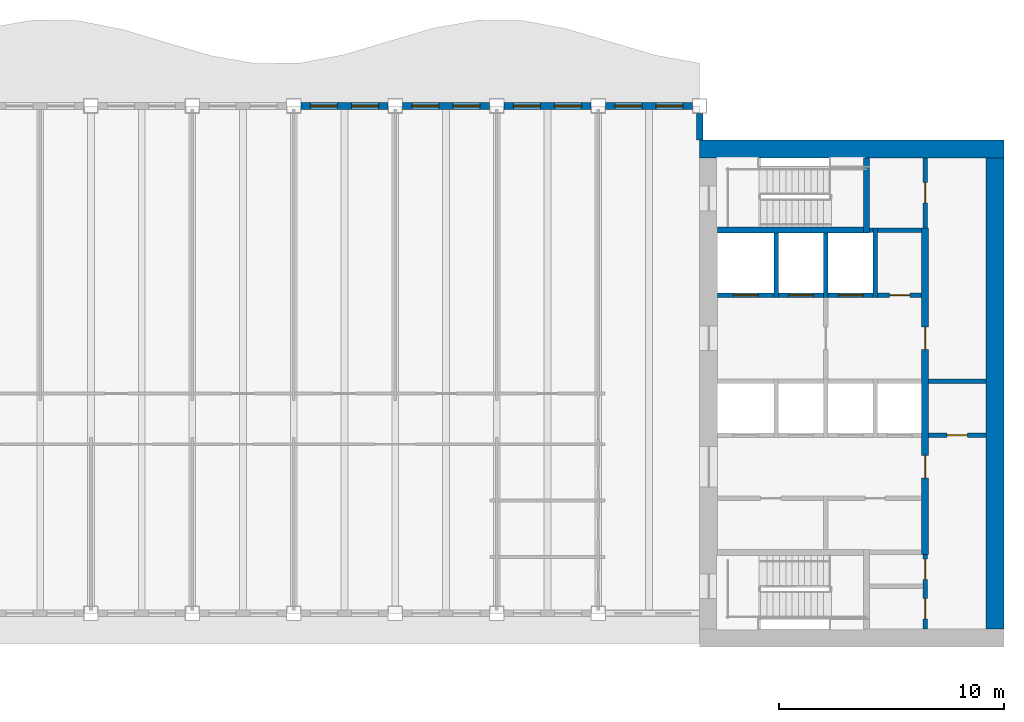
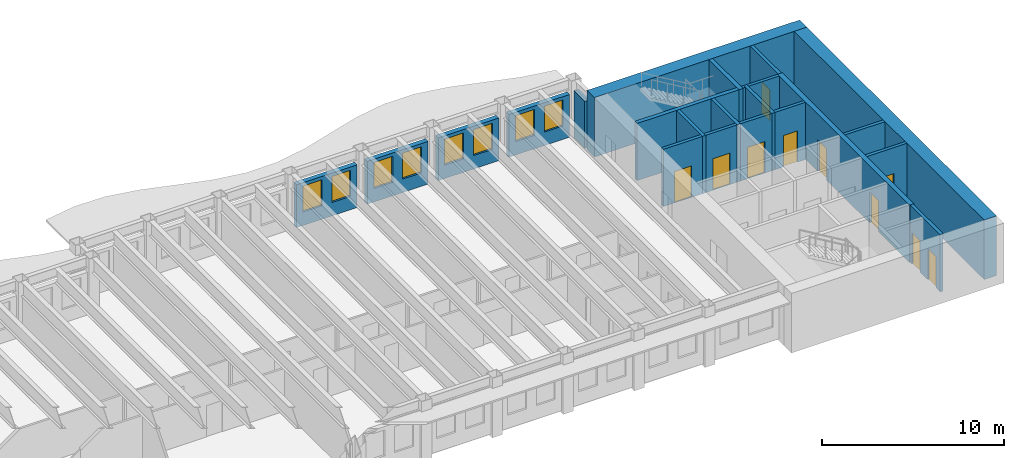
# One storey, part 6 of 12: 23 walls, 10 doors, 8 windows, 18 openings.
"""IFC4 building model written with IfcOpenShell, lengths in metres."""

import ifcopenshell
import ifcopenshell.guid

model = None  # the IFC model being written
_history = None  # IfcOwnerHistory: only IFC2X3 demands one
_inside = {}  # id of a spatial element -> (the spatial element, [elements in it])
_under = {}  # id of a project, library or spatial element -> (it, [spatial elements below it])
_declared = {}  # id of a project -> (the project, [libraries it declares])
_typed = {}  # id of a type object -> (the type object, [elements of that type])
_made_of = {}  # id of a material, layer set ... -> (it, [elements and type objects made of it])


def new_model(schema):
    """Start an empty IFC model of exactly this schema.

    Asked for "IFC4X3", IfcOpenShell would pick the latest addendum, in which some entities
    have other attributes; the version numbers below select the first issue.
    IFC2X3 requires an IfcOwnerHistory on every rooted entity: one is made here for all.
    """
    global model, _history
    if schema == "IFC4X3":
        model = ifcopenshell.file(schema_version=(4, 3, 0, 0))
    else:
        model = ifcopenshell.file(schema=schema)
    _inside.clear()
    _under.clear()
    _declared.clear()
    _typed.clear()
    _made_of.clear()
    _history = None
    if model.schema == "IFC2X3":
        org = make("IfcOrganization", Name="unknown")
        user = make(
            "IfcPersonAndOrganization",
            ThePerson=make("IfcPerson", FamilyName="unknown"),
            TheOrganization=org,
        )
        app = make(
            "IfcApplication",
            ApplicationDeveloper=org,
            Version="unknown",
            ApplicationFullName="unknown",
            ApplicationIdentifier="unknown",
        )
        _history = make(
            "IfcOwnerHistory",
            OwningUser=user,
            OwningApplication=app,
            ChangeAction="ADDED",
            CreationDate=0,
        )
    return model


def make(cls, **values):
    """One entity of the class cls with the attributes given. An attribute that is None is left unset."""
    return model.create_entity(
        cls, **{name: value for name, value in values.items() if value is not None}
    )


def rooted(cls, **values):
    """An entity with a GlobalId (a new one), such as an element, a storey or a relation."""
    return make(cls, GlobalId=ifcopenshell.guid.new(), OwnerHistory=_history, **values)


def si_unit(unit_type, name, prefix=None):
    """IfcSIUnit, for example si_unit("LENGTHUNIT", "METRE", prefix="MILLI")."""
    return make("IfcSIUnit", UnitType=unit_type, Prefix=prefix, Name=name)


def assignment(units):
    """IfcUnitAssignment: the units of a project."""
    return None if units is None else make("IfcUnitAssignment", Units=units)


def point(xyz):
    """IfcCartesianPoint."""
    return None if xyz is None else make("IfcCartesianPoint", Coordinates=xyz)


def direction(xyz):
    """IfcDirection."""
    return None if xyz is None else make("IfcDirection", DirectionRatios=xyz)


def frame(location, z_axis=None, x_axis=None):
    """IfcAxis2Placement3D, a coordinate frame: its origin and axes. An axis left out is left unset."""
    return make(
        "IfcAxis2Placement3D",
        Location=point(location),
        Axis=direction(z_axis),
        RefDirection=direction(x_axis),
    )


def frame_2d(location, x_axis=None):
    """IfcAxis2Placement2D, a coordinate frame in the plane: its origin and x axis."""
    return make(
        "IfcAxis2Placement2D", Location=point(location), RefDirection=direction(x_axis)
    )


def origin():
    """The frame at (0, 0, 0) with its axes left unset."""
    return frame((0.0, 0.0, 0.0))


def place(relative_to, where):
    """IfcLocalPlacement: puts the frame where relative to a parent placement (None: the world)."""
    return make(
        "IfcLocalPlacement", PlacementRelTo=relative_to, RelativePlacement=where
    )


def context(
    kind, dimensions, precision=None, world=None, true_north=None, identifier=None
):
    """IfcGeometricRepresentationContext, for example the 3D "Model" context."""
    return make(
        "IfcGeometricRepresentationContext",
        ContextIdentifier=identifier,
        ContextType=kind,
        CoordinateSpaceDimension=dimensions,
        Precision=precision,
        WorldCoordinateSystem=world,
        TrueNorth=true_north,
    )


def subcontext(parent, identifier, kind, view, scale=None):
    """IfcGeometricRepresentationSubContext, for example "Body" below "Model"."""
    return make(
        "IfcGeometricRepresentationSubContext",
        ContextIdentifier=identifier,
        ContextType=kind,
        ParentContext=parent,
        TargetScale=scale,
        TargetView=view,
    )


def project(units=None, contexts=None):
    """IfcProject with its units and contexts."""
    return rooted(
        "IfcProject",
        Name="project",
        RepresentationContexts=contexts,
        UnitsInContext=assignment(units),
    )


def spatial(cls, under=None, at=None, **own):
    """A site, building, storey or space (cls), placed at a placement, below another one or the project."""
    s = rooted(cls, ObjectPlacement=at, **own)
    if under is not None:
        _under.setdefault(under.id(), (under, []))[1].append(s)
    return s


def profile(cls, at=None, kind="AREA", **sizes):
    """A parametric profile (cls). Its sizes go by their IFC names, for example OverallWidth=200.0."""
    return make(cls, ProfileType=kind, Position=at, **sizes)


def rectangle(**sizes):
    """IfcRectangleProfileDef."""
    return profile("IfcRectangleProfileDef", **sizes)


def extrude(swept, where, along, depth):
    """IfcExtrudedAreaSolid: the profile swept, set in the frame where, extruded along a direction by depth."""
    return make(
        "IfcExtrudedAreaSolid",
        SweptArea=swept,
        Position=where,
        ExtrudedDirection=direction(along),
        Depth=depth,
    )


def shape(context_of_items, identifier, shape_type, items):
    """IfcShapeRepresentation: the items that make up one representation, for example the "Body"."""
    return make(
        "IfcShapeRepresentation",
        ContextOfItems=context_of_items,
        RepresentationIdentifier=identifier,
        RepresentationType=shape_type,
        Items=items,
    )


def material(Name=None, Category=None):
    """IfcMaterial."""
    return make("IfcMaterial", Name=Name, Category=Category)


def layer(
    of_material, thickness, ventilated=None, Name=None, Category=None, Priority=None
):
    """IfcMaterialLayer: one layer of a wall or slab, of a material (None: an air gap)."""
    return make(
        "IfcMaterialLayer",
        Material=of_material,
        LayerThickness=thickness,
        IsVentilated=ventilated,
        Name=Name,
        Category=Category,
        Priority=Priority,
    )


def layer_set(layers, Name=None):
    """IfcMaterialLayerSet."""
    return make("IfcMaterialLayerSet", MaterialLayers=layers, LayerSetName=Name)


def made_of(thing, what):
    """Note that an element or type object is made of a material, layer set ...; save() writes the relation."""
    if what is not None:
        _made_of.setdefault(what.id(), (what, []))[1].append(thing)
    return thing


def type_object(cls, material=None, **own):
    """A type object (cls), such as IfcWallType, which elements share."""
    return made_of(rooted(cls, **own), material)


def element(
    cls,
    number,
    at=None,
    inside=None,
    cuts=None,
    type_object=None,
    material=None,
    context=None,
    identifier="Body",
    shape_type=None,
    held_by="IfcProductDefinitionShape",
    body=None,
    shapes=None,
    **own,
):
    """One element of the class cls, such as IfcWall. Its Tag is "e" and its number.

    at: its placement. inside: the storey or other place that contains it. cuts: it is an
    opening in that element (IfcRelVoidsElement). A single representation is given by context,
    identifier, shape_type and body (its items); several are given by shapes. held_by: the class
    of the entity that holds the representations. save() writes the other relations.
    """
    e = rooted(cls, Tag="e%d" % number, ObjectPlacement=at, **own)
    if body is not None:
        shapes = [shape(context, identifier, shape_type, body)]
    if shapes is not None:
        e.Representation = make(held_by, Representations=shapes)
    if inside is not None:
        _inside.setdefault(inside.id(), (inside, []))[1].append(e)
    if cuts is not None:
        rooted(
            "IfcRelVoidsElement", RelatingBuildingElement=cuts, RelatedOpeningElement=e
        )
    if type_object is not None:
        _typed.setdefault(type_object.id(), (type_object, []))[1].append(e)
    return made_of(e, material)


def fill(opening, filler):
    """IfcRelFillsElement: the door or window that sits in an opening."""
    return rooted(
        "IfcRelFillsElement",
        RelatingOpeningElement=opening,
        RelatedBuildingElement=filler,
    )


def aggregate(whole, parts):
    """IfcRelAggregates: a whole, such as a stair, and the parts it consists of."""
    return rooted("IfcRelAggregates", RelatingObject=whole, RelatedObjects=parts)


def save(model, path):
    """Write the relations noted so far, then the file.

    IfcRelAggregates (storeys below a building ...), IfcRelContainedInSpatialStructure (elements
    in a storey), IfcRelDefinesByType, IfcRelAssociatesMaterial and IfcRelDeclares: one each for
    every whole, place, type object, material and project.
    """
    for whole, parts in _under.values():
        aggregate(whole, parts)
    for where, things in _inside.values():
        rooted(
            "IfcRelContainedInSpatialStructure",
            RelatedElements=things,
            RelatingStructure=where,
        )
    for kind, things in _typed.values():
        rooted("IfcRelDefinesByType", RelatedObjects=things, RelatingType=kind)
    for what, things in _made_of.values():
        rooted("IfcRelAssociatesMaterial", RelatedObjects=things, RelatingMaterial=what)
    for by, libraries in _declared.values():
        rooted("IfcRelDeclares", RelatingContext=by, RelatedDefinitions=libraries)
    model.write(path)


model = new_model("IFC4")

# Units and contexts
model_context = context("Model", 3, precision=1e-05, world=origin(), true_north=direction((0.0, 1.0)))
body_context = subcontext(model_context, "Body", "Model", "MODEL_VIEW")
ifc_project = project(units=[si_unit("LENGTHUNIT", "METRE"), si_unit("AREAUNIT", "SQUARE_METRE"), si_unit("VOLUMEUNIT", "CUBIC_METRE"), si_unit("PLANEANGLEUNIT", "RADIAN"), si_unit("MASSUNIT", "GRAM", prefix="KILO")], contexts=[model_context])

# Site, building, storey
site_placement = place(None, origin())
site = spatial("IfcSite", under=ifc_project, at=site_placement, CompositionType="ELEMENT")
building_placement = place(site_placement, origin())
building = spatial("IfcBuilding", under=site, at=building_placement, Name="Sennacour Bend Tower", CompositionType="ELEMENT")
storey_placement = place(building_placement, frame((0.0, 0.0, 257.0)))
storey = spatial("IfcBuildingStorey", under=building, at=storey_placement, Name="L59", CompositionType="ELEMENT", Elevation=257.0)

# Walls
ifc_material_1 = material(Name="Concrete C50/60", Category="concrete")
ifc_layer_1 = layer(ifc_material_1, 0.800048828125, Name="Concrete C50/60", Category="concrete")
ifc_layer_set_1 = layer_set([ifc_layer_1], Name="Concrete C50/60")
wall_type_1 = type_object("IfcWallType", Name="Core wall 800 C50/60", PredefinedType="SHEAR", material=ifc_layer_set_1)
wall_1_placement = place(storey_placement, frame((54.0, 22.10009765625, -0.14990234375), z_axis=(0.0, 0.0, 1.0), x_axis=(1.0, 0.0, 0.0)))
element("IfcWall", 1, at=wall_1_placement, inside=storey, type_object=wall_type_1, Name="Core A wall L59 N", PredefinedType="SHEAR", context=body_context, shape_type="SweptSolid", body=[
    extrude(rectangle(XDim=13.5, YDim=0.800048828125, at=frame_2d((6.75, 0.0))), origin(), (0.0, 0.0, 1.0), 4.0),
])
wall_2_placement = place(storey_placement, frame((67.10009765625, 0.800048828125, -0.14990234375), z_axis=(0.0, 0.0, 1.0), x_axis=(0.0, 1.0, 0.0)))
element("IfcWall", 2, at=wall_2_placement, inside=storey, type_object=wall_type_1, Name="Core A wall L59 E", PredefinedType="SHEAR", context=body_context, shape_type="SweptSolid", body=[
    extrude(rectangle(XDim=20.89990234375, YDim=0.800048828125, at=frame_2d((10.449951171875, 0.0))), origin(), (0.0, 0.0, 1.0), 4.0),
])

# Wall, openings, doors
ifc_material_2 = material(Name="Fire-rated plasterboard partition on steel studs", Category="steel")
ifc_layer_2 = layer(ifc_material_2, 0.199951171875, Name="Fire-rated plasterboard partition on steel studs", Category="steel")
ifc_layer_set_2 = layer_set([ifc_layer_2], Name="Fire-rated plasterboard partition on steel studs")
wall_type_2 = type_object("IfcWallType", Name="Rated partition 200", PredefinedType="PARTITIONING", material=ifc_layer_set_2)
wall_3_placement = place(storey_placement, frame((64.0, 0.800048828125, 0.0), z_axis=(0.0, 0.0, 1.0), x_axis=(0.0, 1.0, 0.0)))
wall_3 = element("IfcWall", 3, at=wall_3_placement, inside=storey, type_object=wall_type_2, Name="P-L59-W029", PredefinedType="PARTITIONING", context=body_context, shape_type="SweptSolid", body=[
    extrude(rectangle(XDim=3.300048828125, YDim=0.199951171875, at=frame_2d((1.64990234375, 0.0))), origin(), (0.0, 0.0, 1.0), 3.85009765625),
])
opening_1_placement = place(wall_3_placement, frame((0.449951171875, 0.0, 0.0)))
opening_1 = element("IfcOpeningElement", 4, at=opening_1_placement, cuts=wall_3, Name="Opening SV", PredefinedType="OPENING", context=body_context, shape_type="SweptSolid", body=[
    extrude(rectangle(XDim=0.89990234375, YDim=2.10009765625, at=frame_2d((0.449951171875, 1.050048828125))), frame((0.0, 0.10986328125, 0.0), z_axis=(0.0, -1.0, 0.0), x_axis=(1.0, 0.0, 0.0)), (0.0, 0.0, 1.0), 0.219970703125),
])
opening_2_placement = place(wall_3_placement, frame((2.199951171875, 0.0, 0.0)))
opening_2 = element("IfcOpeningElement", 5, at=opening_2_placement, cuts=wall_3, Name="Opening SV", PredefinedType="OPENING", context=body_context, shape_type="SweptSolid", body=[
    extrude(rectangle(XDim=0.89990234375, YDim=2.10009765625, at=frame_2d((0.449951171875, 1.050048828125))), frame((0.0, 0.10986328125, 0.0), z_axis=(0.0, -1.0, 0.0), x_axis=(1.0, 0.0, 0.0)), (0.0, 0.0, 1.0), 0.219970703125),
])
ifc_material_3 = material(Name="Painted steel", Category="steel")
door_type_1 = type_object("IfcDoorType", Name="DR-SERVICE-900", OperationType="NOTDEFINED", PredefinedType="DOOR", material=ifc_material_3)
door_1_placement = place(opening_1_placement, origin())
door_1 = element("IfcDoor", 6, at=door_1_placement, inside=storey, type_object=door_type_1, Name="Door", OperationType="SINGLE_SWING_LEFT", OverallHeight=2.10009765625, OverallWidth=0.89990234375, PredefinedType="DOOR", context=body_context, shape_type="SweptSolid", body=[
    extrude(rectangle(XDim=0.89990234375, YDim=2.10009765625, at=frame_2d((0.449951171875, 1.050048828125))), frame((0.0, 0.02490234375, 0.0), z_axis=(0.0, -1.0, 0.0), x_axis=(1.0, 0.0, 0.0)), (0.0, 0.0, 1.0), 0.050048828125),
])
fill(opening_1, door_1)
door_2_placement = place(opening_2_placement, origin())
door_2 = element("IfcDoor", 7, at=door_2_placement, inside=storey, type_object=door_type_1, Name="Door", OperationType="SINGLE_SWING_RIGHT", OverallHeight=2.10009765625, OverallWidth=0.89990234375, PredefinedType="DOOR", context=body_context, shape_type="SweptSolid", body=[
    extrude(rectangle(XDim=0.89990234375, YDim=2.10009765625, at=frame_2d((0.449951171875, 1.050048828125))), frame((0.0, 0.02490234375, 0.0), z_axis=(0.0, -1.0, 0.0), x_axis=(1.0, 0.0, 0.0)), (0.0, 0.0, 1.0), 0.050048828125),
])
fill(opening_2, door_2)

# Wall, opening, door
wall_4_placement = place(storey_placement, frame((64.0, 18.60009765625, 0.0), z_axis=(0.0, 0.0, 1.0), x_axis=(0.0, 1.0, 0.0)))
wall_4 = element("IfcWall", 8, at=wall_4_placement, inside=storey, type_object=wall_type_2, Name="P-L59-W031", PredefinedType="PARTITIONING", context=body_context, shape_type="SweptSolid", body=[
    extrude(rectangle(XDim=3.099853515625, YDim=0.199951171875, at=frame_2d((1.5498046875, 0.0))), origin(), (0.0, 0.0, 1.0), 3.85009765625),
])
opening_3_placement = place(wall_4_placement, frame((1.099853515625, 0.0, 0.0)))
opening_3 = element("IfcOpeningElement", 9, at=opening_3_placement, cuts=wall_4, Name="Opening WD", PredefinedType="OPENING", context=body_context, shape_type="SweptSolid", body=[
    extrude(rectangle(XDim=0.89990234375, YDim=2.10009765625, at=frame_2d((0.449951171875, 1.050048828125))), frame((0.0, 0.10986328125, 0.0), z_axis=(0.0, -1.0, 0.0), x_axis=(1.0, 0.0, 0.0)), (0.0, 0.0, 1.0), 0.219970703125),
])
ifc_material_4 = material(Name="Timber", Category="wood")
door_type_2 = type_object("IfcDoorType", Name="DR-WC-900", OperationType="NOTDEFINED", PredefinedType="DOOR", material=ifc_material_4)
door_3_placement = place(opening_3_placement, origin())
door_3 = element("IfcDoor", 10, at=door_3_placement, inside=storey, type_object=door_type_2, Name="Door", OperationType="SINGLE_SWING_LEFT", OverallHeight=2.10009765625, OverallWidth=0.89990234375, PredefinedType="DOOR", context=body_context, shape_type="SweptSolid", body=[
    extrude(rectangle(XDim=0.89990234375, YDim=2.10009765625, at=frame_2d((0.449951171875, 1.050048828125))), frame((0.0, 0.02490234375, 0.0), z_axis=(0.0, -1.0, 0.0), x_axis=(1.0, 0.0, 0.0)), (0.0, 0.0, 1.0), 0.050048828125),
])
fill(opening_3, door_3)

wall_5_placement = place(storey_placement, frame((64.14990234375, 9.39990234375, 0.0), z_axis=(0.0, 0.0, 1.0), x_axis=(1.0, 0.0, 0.0)))
wall_5 = element("IfcWall", 11, at=wall_5_placement, inside=storey, type_object=wall_type_2, Name="P-L59-W045", PredefinedType="PARTITIONING", context=body_context, shape_type="SweptSolid", body=[
    extrude(rectangle(XDim=2.550048828125, YDim=0.199951171875, at=frame_2d((1.27490234375, 0.0))), origin(), (0.0, 0.0, 1.0), 3.85009765625),
])
opening_4_placement = place(wall_5_placement, frame((0.8251953125, 0.0, 0.0)))
opening_4 = element("IfcOpeningElement", 12, at=opening_4_placement, cuts=wall_5, Name="Opening SV", PredefinedType="OPENING", context=body_context, shape_type="SweptSolid", body=[
    extrude(rectangle(XDim=0.89990234375, YDim=2.10009765625, at=frame_2d((0.449951171875, 1.050048828125))), frame((0.0, 0.10986328125, 0.0), z_axis=(0.0, -1.0, 0.0), x_axis=(1.0, 0.0, 0.0)), (0.0, 0.0, 1.0), 0.219970703125),
])
door_4_placement = place(opening_4_placement, origin())
door_4 = element("IfcDoor", 13, at=door_4_placement, inside=storey, type_object=door_type_1, Name="Door", OperationType="SINGLE_SWING_LEFT", OverallHeight=2.10009765625, OverallWidth=0.89990234375, PredefinedType="DOOR", context=body_context, shape_type="SweptSolid", body=[
    extrude(rectangle(XDim=0.89990234375, YDim=2.10009765625, at=frame_2d((0.449951171875, 1.050048828125))), frame((0.0, 0.02490234375, 0.0), z_axis=(0.0, -1.0, 0.0), x_axis=(1.0, 0.0, 0.0)), (0.0, 0.0, 1.0), 0.050048828125),
])
fill(opening_4, door_4)

# Wall
wall_6_placement = place(storey_placement, frame((64.14990234375, 11.800048828125, 0.0), z_axis=(0.0, 0.0, 1.0), x_axis=(1.0, 0.0, 0.0)))
element("IfcWall", 14, at=wall_6_placement, inside=storey, type_object=wall_type_2, Name="P-L59-W048", PredefinedType="PARTITIONING", context=body_context, shape_type="SweptSolid", body=[
    extrude(rectangle(XDim=2.550048828125, YDim=0.199951171875, at=frame_2d((1.27490234375, 0.0))), origin(), (0.0, 0.0, 1.0), 3.85009765625),
])

# Wall, opening, door
wall_7_placement = place(storey_placement, frame((61.89990234375, 15.60009765625, 0.0), z_axis=(0.0, 0.0, 1.0), x_axis=(1.0, 0.0, 0.0)))
wall_7 = element("IfcWall", 15, at=wall_7_placement, inside=storey, type_object=wall_type_2, Name="P-L59-W050", PredefinedType="PARTITIONING", context=body_context, shape_type="SweptSolid", body=[
    extrude(rectangle(XDim=1.9501953125, YDim=0.199951171875, at=frame_2d((0.97509765625, 0.0))), origin(), (0.0, 0.0, 1.0), 3.85009765625),
])
opening_5_placement = place(wall_7_placement, frame((0.525146484375, 0.0, 0.0)))
opening_5 = element("IfcOpeningElement", 16, at=opening_5_placement, cuts=wall_7, Name="Opening SV", PredefinedType="OPENING", context=body_context, shape_type="SweptSolid", body=[
    extrude(rectangle(XDim=0.89990234375, YDim=2.10009765625, at=frame_2d((0.449951171875, 1.050048828125))), frame((0.0, 0.10986328125, 0.0), z_axis=(0.0, -1.0, 0.0), x_axis=(1.0, 0.0, 0.0)), (0.0, 0.0, 1.0), 0.219970703125),
])
door_5_placement = place(opening_5_placement, origin())
door_5 = element("IfcDoor", 17, at=door_5_placement, inside=storey, type_object=door_type_1, Name="Door", OperationType="SINGLE_SWING_LEFT", OverallHeight=2.10009765625, OverallWidth=0.89990234375, PredefinedType="DOOR", context=body_context, shape_type="SweptSolid", body=[
    extrude(rectangle(XDim=0.89990234375, YDim=2.10009765625, at=frame_2d((0.449951171875, 1.050048828125))), frame((0.0, 0.02490234375, 0.0), z_axis=(0.0, -1.0, 0.0), x_axis=(1.0, 0.0, 0.0)), (0.0, 0.0, 1.0), 0.050048828125),
])
fill(opening_5, door_5)

# Walls
wall_8_placement = place(storey_placement, frame((61.89990234375, 18.5, 0.0), z_axis=(0.0, 0.0, 1.0), x_axis=(1.0, 0.0, 0.0)))
element("IfcWall", 18, at=wall_8_placement, inside=storey, type_object=wall_type_2, Name="P-L59-W053", PredefinedType="PARTITIONING", context=body_context, shape_type="SweptSolid", body=[
    extrude(rectangle(XDim=1.9501953125, YDim=0.199951171875, at=frame_2d((0.97509765625, 0.0))), origin(), (0.0, 0.0, 1.0), 3.85009765625),
])
ifc_material_5 = material(Name="Warm limestone cladding", Category="masonry")
ifc_layer_3 = layer(ifc_material_5, 0.050048828125, Name="Warm limestone cladding", Category="masonry")
ifc_material_6 = material(Name="Precast concrete C40/50", Category="concrete")
ifc_layer_4 = layer(ifc_material_6, 0.25, Name="Precast concrete C40/50", Category="concrete")
ifc_layer_set_3 = layer_set([ifc_layer_3, ifc_layer_4], Name="Precast concrete C40/50 with limestone cladding")
wall_type_3 = type_object("IfcWallType", Name="STONE-CLAD PRECAST SPANDREL 300", PredefinedType="STANDARD", material=ifc_layer_set_3)
wall_9_placement = place(storey_placement, frame((54.0, 22.5, 0.0), z_axis=(0.0, 0.0, 1.0), x_axis=(0.0, 1.0, 0.0)))
element("IfcWall", 19, at=wall_9_placement, inside=storey, type_object=wall_type_3, Name="Stone spandrel and pier wall L59 06.00", PredefinedType="STANDARD", context=body_context, shape_type="SweptSolid", body=[
    extrude(rectangle(XDim=1.175048828125, YDim=0.300048828125, at=frame_2d((0.58740234375, 0.0))), origin(), (0.0, 0.0, 1.0), 3.162109375),
])

# Wall, openings, windows
wall_10_placement = place(storey_placement, frame((53.675048828125, 24.0, 0.0), z_axis=(0.0, 0.0, 1.0), x_axis=(-1.0, 0.0, 0.0)))
wall_10 = element("IfcWall", 20, at=wall_10_placement, inside=storey, type_object=wall_type_3, Name="Stone spandrel and pier wall L59 07.00", PredefinedType="STANDARD", context=body_context, shape_type="SweptSolid", body=[
    extrude(rectangle(XDim=3.85009765625, YDim=0.300048828125, at=frame_2d((1.925048828125, 0.0))), origin(), (0.0, 0.0, 1.0), 2.8701171875),
])
opening_6_placement = place(wall_10_placement, frame((0.41259765625, 0.0, 0.89990234375)))
opening_6 = element("IfcOpeningElement", 21, at=opening_6_placement, cuts=wall_10, Name="Opening W16", PredefinedType="OPENING", context=body_context, shape_type="SweptSolid", body=[
    extrude(rectangle(XDim=1.199951171875, YDim=1.75, at=frame_2d((0.60009765625, 0.875))), frame((0.0, 0.16015625, 0.0), z_axis=(0.0, -1.0, 0.0), x_axis=(1.0, 0.0, 0.0)), (0.0, 0.0, 1.0), 0.320068359375),
])
opening_7_placement = place(wall_10_placement, frame((2.237548828125, 0.0, 0.89990234375)))
opening_7 = element("IfcOpeningElement", 22, at=opening_7_placement, cuts=wall_10, Name="Opening W16", PredefinedType="OPENING", context=body_context, shape_type="SweptSolid", body=[
    extrude(rectangle(XDim=1.199951171875, YDim=1.75, at=frame_2d((0.60009765625, 0.875))), frame((0.0, 0.16015625, 0.0), z_axis=(0.0, -1.0, 0.0), x_axis=(1.0, 0.0, 0.0)), (0.0, 0.0, 1.0), 0.320068359375),
])
ifc_material_7 = material(Name="Clear low-emissivity glass", Category="glass")
window_type = type_object("IfcWindowType", Name="WIN-RIBBON-1200x1750", PartitioningType="SINGLE_PANEL", PredefinedType="WINDOW", material=ifc_material_7)
window_1_placement = place(opening_6_placement, origin())
window_1 = element("IfcWindow", 23, at=window_1_placement, inside=storey, type_object=window_type, Name="Ribbon window L59 07.00.0", OverallHeight=1.75, OverallWidth=1.199951171875, PartitioningType="SINGLE_PANEL", PredefinedType="WINDOW", context=body_context, shape_type="SweptSolid", body=[
    extrude(rectangle(XDim=1.199951171875, YDim=1.75, at=frame_2d((0.60009765625, 0.875))), frame((0.0, 0.030029296875, 0.0), z_axis=(0.0, -1.0, 0.0), x_axis=(1.0, 0.0, 0.0)), (0.0, 0.0, 1.0), 0.06005859375),
])
fill(opening_6, window_1)
window_2_placement = place(opening_7_placement, origin())
window_2 = element("IfcWindow", 24, at=window_2_placement, inside=storey, type_object=window_type, Name="Ribbon window L59 07.00.1", OverallHeight=1.75, OverallWidth=1.199951171875, PartitioningType="SINGLE_PANEL", PredefinedType="WINDOW", context=body_context, shape_type="SweptSolid", body=[
    extrude(rectangle(XDim=1.199951171875, YDim=1.75, at=frame_2d((0.60009765625, 0.875))), frame((0.0, 0.030029296875, 0.0), z_axis=(0.0, -1.0, 0.0), x_axis=(1.0, 0.0, 0.0)), (0.0, 0.0, 1.0), 0.06005859375),
])
fill(opening_7, window_2)

wall_11_placement = place(storey_placement, frame((49.175048828125, 24.0, 0.0), z_axis=(0.0, 0.0, 1.0), x_axis=(-1.0, 0.0, 0.0)))
wall_11 = element("IfcWall", 25, at=wall_11_placement, inside=storey, type_object=wall_type_3, Name="Stone spandrel and pier wall L59 07.01", PredefinedType="STANDARD", context=body_context, shape_type="SweptSolid", body=[
    extrude(rectangle(XDim=3.85009765625, YDim=0.300048828125, at=frame_2d((1.925048828125, 0.0))), origin(), (0.0, 0.0, 1.0), 2.8701171875),
])
opening_8_placement = place(wall_11_placement, frame((0.41259765625, 0.0, 0.89990234375)))
opening_8 = element("IfcOpeningElement", 26, at=opening_8_placement, cuts=wall_11, Name="Opening W16", PredefinedType="OPENING", context=body_context, shape_type="SweptSolid", body=[
    extrude(rectangle(XDim=1.199951171875, YDim=1.75, at=frame_2d((0.60009765625, 0.875))), frame((0.0, 0.16015625, 0.0), z_axis=(0.0, -1.0, 0.0), x_axis=(1.0, 0.0, 0.0)), (0.0, 0.0, 1.0), 0.320068359375),
])
opening_9_placement = place(wall_11_placement, frame((2.237548828125, 0.0, 0.89990234375)))
opening_9 = element("IfcOpeningElement", 27, at=opening_9_placement, cuts=wall_11, Name="Opening W16", PredefinedType="OPENING", context=body_context, shape_type="SweptSolid", body=[
    extrude(rectangle(XDim=1.199951171875, YDim=1.75, at=frame_2d((0.60009765625, 0.875))), frame((0.0, 0.16015625, 0.0), z_axis=(0.0, -1.0, 0.0), x_axis=(1.0, 0.0, 0.0)), (0.0, 0.0, 1.0), 0.320068359375),
])
window_3_placement = place(opening_8_placement, origin())
window_3 = element("IfcWindow", 28, at=window_3_placement, inside=storey, type_object=window_type, Name="Ribbon window L59 07.01.0", OverallHeight=1.75, OverallWidth=1.199951171875, PartitioningType="SINGLE_PANEL", PredefinedType="WINDOW", context=body_context, shape_type="SweptSolid", body=[
    extrude(rectangle(XDim=1.199951171875, YDim=1.75, at=frame_2d((0.60009765625, 0.875))), frame((0.0, 0.030029296875, 0.0), z_axis=(0.0, -1.0, 0.0), x_axis=(1.0, 0.0, 0.0)), (0.0, 0.0, 1.0), 0.06005859375),
])
fill(opening_8, window_3)
window_4_placement = place(opening_9_placement, origin())
window_4 = element("IfcWindow", 29, at=window_4_placement, inside=storey, type_object=window_type, Name="Ribbon window L59 07.01.1", OverallHeight=1.75, OverallWidth=1.199951171875, PartitioningType="SINGLE_PANEL", PredefinedType="WINDOW", context=body_context, shape_type="SweptSolid", body=[
    extrude(rectangle(XDim=1.199951171875, YDim=1.75, at=frame_2d((0.60009765625, 0.875))), frame((0.0, 0.030029296875, 0.0), z_axis=(0.0, -1.0, 0.0), x_axis=(1.0, 0.0, 0.0)), (0.0, 0.0, 1.0), 0.06005859375),
])
fill(opening_9, window_4)

wall_12_placement = place(storey_placement, frame((44.675048828125, 24.0, 0.0), z_axis=(0.0, 0.0, 1.0), x_axis=(-1.0, 0.0, 0.0)))
wall_12 = element("IfcWall", 30, at=wall_12_placement, inside=storey, type_object=wall_type_3, Name="Stone spandrel and pier wall L59 07.02", PredefinedType="STANDARD", context=body_context, shape_type="SweptSolid", body=[
    extrude(rectangle(XDim=3.85009765625, YDim=0.300048828125, at=frame_2d((1.925048828125, 0.0))), origin(), (0.0, 0.0, 1.0), 2.8701171875),
])
opening_10_placement = place(wall_12_placement, frame((0.41259765625, 0.0, 0.89990234375)))
opening_10 = element("IfcOpeningElement", 31, at=opening_10_placement, cuts=wall_12, Name="Opening W16", PredefinedType="OPENING", context=body_context, shape_type="SweptSolid", body=[
    extrude(rectangle(XDim=1.199951171875, YDim=1.75, at=frame_2d((0.60009765625, 0.875))), frame((0.0, 0.16015625, 0.0), z_axis=(0.0, -1.0, 0.0), x_axis=(1.0, 0.0, 0.0)), (0.0, 0.0, 1.0), 0.320068359375),
])
opening_11_placement = place(wall_12_placement, frame((2.237548828125, 0.0, 0.89990234375)))
opening_11 = element("IfcOpeningElement", 32, at=opening_11_placement, cuts=wall_12, Name="Opening W16", PredefinedType="OPENING", context=body_context, shape_type="SweptSolid", body=[
    extrude(rectangle(XDim=1.199951171875, YDim=1.75, at=frame_2d((0.60009765625, 0.875))), frame((0.0, 0.16015625, 0.0), z_axis=(0.0, -1.0, 0.0), x_axis=(1.0, 0.0, 0.0)), (0.0, 0.0, 1.0), 0.320068359375),
])
window_5_placement = place(opening_10_placement, origin())
window_5 = element("IfcWindow", 33, at=window_5_placement, inside=storey, type_object=window_type, Name="Ribbon window L59 07.02.0", OverallHeight=1.75, OverallWidth=1.199951171875, PartitioningType="SINGLE_PANEL", PredefinedType="WINDOW", context=body_context, shape_type="SweptSolid", body=[
    extrude(rectangle(XDim=1.199951171875, YDim=1.75, at=frame_2d((0.60009765625, 0.875))), frame((0.0, 0.030029296875, 0.0), z_axis=(0.0, -1.0, 0.0), x_axis=(1.0, 0.0, 0.0)), (0.0, 0.0, 1.0), 0.06005859375),
])
fill(opening_10, window_5)
window_6_placement = place(opening_11_placement, origin())
window_6 = element("IfcWindow", 34, at=window_6_placement, inside=storey, type_object=window_type, Name="Ribbon window L59 07.02.1", OverallHeight=1.75, OverallWidth=1.199951171875, PartitioningType="SINGLE_PANEL", PredefinedType="WINDOW", context=body_context, shape_type="SweptSolid", body=[
    extrude(rectangle(XDim=1.199951171875, YDim=1.75, at=frame_2d((0.60009765625, 0.875))), frame((0.0, 0.030029296875, 0.0), z_axis=(0.0, -1.0, 0.0), x_axis=(1.0, 0.0, 0.0)), (0.0, 0.0, 1.0), 0.06005859375),
])
fill(opening_11, window_6)

wall_13_placement = place(storey_placement, frame((40.175048828125, 24.0, 0.0), z_axis=(0.0, 0.0, 1.0), x_axis=(-1.0, 0.0, 0.0)))
wall_13 = element("IfcWall", 35, at=wall_13_placement, inside=storey, type_object=wall_type_3, Name="Stone spandrel and pier wall L59 07.03", PredefinedType="STANDARD", context=body_context, shape_type="SweptSolid", body=[
    extrude(rectangle(XDim=3.85009765625, YDim=0.300048828125, at=frame_2d((1.925048828125, 0.0))), origin(), (0.0, 0.0, 1.0), 2.8701171875),
])
opening_12_placement = place(wall_13_placement, frame((0.41259765625, 0.0, 0.89990234375)))
opening_12 = element("IfcOpeningElement", 36, at=opening_12_placement, cuts=wall_13, Name="Opening W16", PredefinedType="OPENING", context=body_context, shape_type="SweptSolid", body=[
    extrude(rectangle(XDim=1.199951171875, YDim=1.75, at=frame_2d((0.60009765625, 0.875))), frame((0.0, 0.16015625, 0.0), z_axis=(0.0, -1.0, 0.0), x_axis=(1.0, 0.0, 0.0)), (0.0, 0.0, 1.0), 0.320068359375),
])
opening_13_placement = place(wall_13_placement, frame((2.237548828125, 0.0, 0.89990234375)))
opening_13 = element("IfcOpeningElement", 37, at=opening_13_placement, cuts=wall_13, Name="Opening W16", PredefinedType="OPENING", context=body_context, shape_type="SweptSolid", body=[
    extrude(rectangle(XDim=1.199951171875, YDim=1.75, at=frame_2d((0.60009765625, 0.875))), frame((0.0, 0.16015625, 0.0), z_axis=(0.0, -1.0, 0.0), x_axis=(1.0, 0.0, 0.0)), (0.0, 0.0, 1.0), 0.320068359375),
])
window_7_placement = place(opening_12_placement, origin())
window_7 = element("IfcWindow", 38, at=window_7_placement, inside=storey, type_object=window_type, Name="Ribbon window L59 07.03.0", OverallHeight=1.75, OverallWidth=1.199951171875, PartitioningType="SINGLE_PANEL", PredefinedType="WINDOW", context=body_context, shape_type="SweptSolid", body=[
    extrude(rectangle(XDim=1.199951171875, YDim=1.75, at=frame_2d((0.60009765625, 0.875))), frame((0.0, 0.030029296875, 0.0), z_axis=(0.0, -1.0, 0.0), x_axis=(1.0, 0.0, 0.0)), (0.0, 0.0, 1.0), 0.06005859375),
])
fill(opening_12, window_7)
window_8_placement = place(opening_13_placement, origin())
window_8 = element("IfcWindow", 39, at=window_8_placement, inside=storey, type_object=window_type, Name="Ribbon window L59 07.03.1", OverallHeight=1.75, OverallWidth=1.199951171875, PartitioningType="SINGLE_PANEL", PredefinedType="WINDOW", context=body_context, shape_type="SweptSolid", body=[
    extrude(rectangle(XDim=1.199951171875, YDim=1.75, at=frame_2d((0.60009765625, 0.875))), frame((0.0, 0.030029296875, 0.0), z_axis=(0.0, -1.0, 0.0), x_axis=(1.0, 0.0, 0.0)), (0.0, 0.0, 1.0), 0.06005859375),
])
fill(opening_13, window_8)

# Walls
ifc_layer_5 = layer(ifc_material_1, 0.199951171875, Name="Concrete C50/60", Category="concrete")
ifc_layer_set_4 = layer_set([ifc_layer_5], Name="Concrete C50/60")
wall_type_4 = type_object("IfcWallType", Name="Shaft wall 200", PredefinedType="SOLIDWALL", material=ifc_layer_set_4)
for number, where, z_axis, x_axis, name in (
    (40, (57.39990234375, 15.5, 0.0), (0.0, 0.0, 1.0), (0.0, 1.0, 0.0), "P-L59-W020"),
    (41, (59.60009765625, 15.5, 0.0), (0.0, 0.0, 1.0), (0.0, 1.0, 0.0), "P-L59-W024"),
):
    element("IfcWall", number, at=place(storey_placement, frame(where, z_axis=z_axis, x_axis=x_axis)), inside=storey, type_object=wall_type_4, Name=name, PredefinedType="SOLIDWALL", context=body_context, shape_type="SweptSolid", body=[
        extrude(rectangle(XDim=2.875, YDim=0.199951171875, at=frame_2d((1.4375, 0.0))), origin(), (0.0, 0.0, 1.0), 3.85009765625),
    ])
wall_14_placement = place(storey_placement, frame((61.800048828125, 15.5, 0.0), z_axis=(0.0, 0.0, 1.0), x_axis=(0.0, 1.0, 0.0)))
element("IfcWall", 42, at=wall_14_placement, inside=storey, type_object=wall_type_4, Name="P-L59-W028", PredefinedType="SOLIDWALL", context=body_context, shape_type="SweptSolid", body=[
    extrude(rectangle(XDim=3.10009765625, YDim=0.199951171875, at=frame_2d((1.550048828125, 0.0))), origin(), (0.0, 0.0, 1.0), 3.85009765625),
])

# Wall, opening, door
wall_15_placement = place(storey_placement, frame((54.800048828125, 15.60009765625, 0.0), z_axis=(0.0, 0.0, 1.0), x_axis=(1.0, 0.0, 0.0)))
wall_15 = element("IfcWall", 43, at=wall_15_placement, inside=storey, type_object=wall_type_4, Name="P-L59-W049a", PredefinedType="SOLIDWALL", context=body_context, shape_type="SweptSolid", body=[
    extrude(rectangle(XDim=2.5, YDim=0.199951171875, at=frame_2d((1.25, 0.0))), origin(), (0.0, 0.0, 1.0), 3.85009765625),
])
opening_14_placement = place(wall_15_placement, frame((0.699951171875, 0.0, 0.011962890625)))
opening_14 = element("IfcOpeningElement", 44, at=opening_14_placement, cuts=wall_15, Name="Opening FLD", PredefinedType="OPENING", context=body_context, shape_type="SweptSolid", body=[
    extrude(rectangle(XDim=1.10009765625, YDim=2.10009765625, at=frame_2d((0.550048828125, 1.050048828125))), frame((0.0, 0.10986328125, 0.0), z_axis=(0.0, -1.0, 0.0), x_axis=(1.0, 0.0, 0.0)), (0.0, 0.0, 1.0), 0.219970703125),
])
ifc_material_8 = material(Name="Stainless steel", Category="steel")
door_type_3 = type_object("IfcDoorType", Name="DR-FF-LANDING-1100", OperationType="NOTDEFINED", PredefinedType="DOOR", material=ifc_material_8)
door_6_placement = place(opening_14_placement, origin())
door_6 = element("IfcDoor", 45, at=door_6_placement, inside=storey, type_object=door_type_3, Name="Fire service lift landing door FA1", OperationType="SLIDING_TO_LEFT", OverallHeight=2.10009765625, OverallWidth=1.10009765625, PredefinedType="DOOR", context=body_context, shape_type="SweptSolid", body=[
    extrude(rectangle(XDim=1.10009765625, YDim=2.10009765625, at=frame_2d((0.550048828125, 1.050048828125))), frame((0.0, 0.02490234375, 0.0), z_axis=(0.0, -1.0, 0.0), x_axis=(1.0, 0.0, 0.0)), (0.0, 0.0, 1.0), 0.050048828125),
])
fill(opening_14, door_6)

wall_16_placement = place(storey_placement, frame((57.5, 15.60009765625, 0.0), z_axis=(0.0, 0.0, 1.0), x_axis=(1.0, 0.0, 0.0)))
wall_16 = element("IfcWall", 46, at=wall_16_placement, inside=storey, type_object=wall_type_4, Name="P-L59-W049b", PredefinedType="SOLIDWALL", context=body_context, shape_type="SweptSolid", body=[
    extrude(rectangle(XDim=2.0, YDim=0.199951171875, at=frame_2d((1.0, 0.0))), origin(), (0.0, 0.0, 1.0), 3.85009765625),
])
opening_15_placement = place(wall_16_placement, frame((0.449951171875, 0.0, 0.011962890625)))
opening_15 = element("IfcOpeningElement", 47, at=opening_15_placement, cuts=wall_16, Name="Opening FLD", PredefinedType="OPENING", context=body_context, shape_type="SweptSolid", body=[
    extrude(rectangle(XDim=1.10009765625, YDim=2.10009765625, at=frame_2d((0.550048828125, 1.050048828125))), frame((0.0, 0.10986328125, 0.0), z_axis=(0.0, -1.0, 0.0), x_axis=(1.0, 0.0, 0.0)), (0.0, 0.0, 1.0), 0.219970703125),
])
door_7_placement = place(opening_15_placement, origin())
door_7 = element("IfcDoor", 48, at=door_7_placement, inside=storey, type_object=door_type_3, Name="Fire service lift landing door FA2", OperationType="SLIDING_TO_RIGHT", OverallHeight=2.10009765625, OverallWidth=1.10009765625, PredefinedType="DOOR", context=body_context, shape_type="SweptSolid", body=[
    extrude(rectangle(XDim=1.10009765625, YDim=2.10009765625, at=frame_2d((0.550048828125, 1.050048828125))), frame((0.0, 0.02490234375, 0.0), z_axis=(0.0, -1.0, 0.0), x_axis=(1.0, 0.0, 0.0)), (0.0, 0.0, 1.0), 0.050048828125),
])
fill(opening_15, door_7)

wall_17_placement = place(storey_placement, frame((59.699951171875, 15.60009765625, 0.0), z_axis=(0.0, 0.0, 1.0), x_axis=(1.0, 0.0, 0.0)))
wall_17 = element("IfcWall", 49, at=wall_17_placement, inside=storey, type_object=wall_type_4, Name="P-L59-W049c", PredefinedType="SOLIDWALL", context=body_context, shape_type="SweptSolid", body=[
    extrude(rectangle(XDim=2.0, YDim=0.199951171875, at=frame_2d((1.0, 0.0))), origin(), (0.0, 0.0, 1.0), 3.85009765625),
])
opening_16_placement = place(wall_17_placement, frame((0.449951171875, 0.0, 0.011962890625)))
opening_16 = element("IfcOpeningElement", 50, at=opening_16_placement, cuts=wall_17, Name="Opening LD", PredefinedType="OPENING", context=body_context, shape_type="SweptSolid", body=[
    extrude(rectangle(XDim=1.10009765625, YDim=2.10009765625, at=frame_2d((0.550048828125, 1.050048828125))), frame((0.0, 0.10986328125, 0.0), z_axis=(0.0, -1.0, 0.0), x_axis=(1.0, 0.0, 0.0)), (0.0, 0.0, 1.0), 0.219970703125),
])
door_type_4 = type_object("IfcDoorType", Name="DR-LANDING-1100", OperationType="NOTDEFINED", PredefinedType="DOOR", material=ifc_material_8)
door_8_placement = place(opening_16_placement, origin())
door_8 = element("IfcDoor", 51, at=door_8_placement, inside=storey, type_object=door_type_4, Name="Lift landing door HA5", OperationType="SLIDING_TO_LEFT", OverallHeight=2.10009765625, OverallWidth=1.10009765625, PredefinedType="DOOR", context=body_context, shape_type="SweptSolid", body=[
    extrude(rectangle(XDim=1.10009765625, YDim=2.10009765625, at=frame_2d((0.550048828125, 1.050048828125))), frame((0.0, 0.02490234375, 0.0), z_axis=(0.0, -1.0, 0.0), x_axis=(1.0, 0.0, 0.0)), (0.0, 0.0, 1.0), 0.050048828125),
])
fill(opening_16, door_8)

# Wall
wall_18_placement = place(storey_placement, frame((61.52490234375, 18.5, 0.0), z_axis=(0.0, 0.0, 1.0), x_axis=(1.0, 0.0, 0.0)))
element("IfcWall", 52, at=wall_18_placement, inside=storey, type_object=wall_type_4, Name="P-L59-W052", PredefinedType="SOLIDWALL", context=body_context, shape_type="SweptSolid", body=[
    extrude(rectangle(XDim=0.175048828125, YDim=0.199951171875, at=frame_2d((0.08740234375, 0.0))), origin(), (0.0, 0.0, 1.0), 3.85009765625),
])

# Wall, openings, doors
ifc_material_9 = material(Name="Concrete C60/75", Category="concrete")
ifc_layer_6 = layer(ifc_material_9, 0.300048828125, Name="Concrete C60/75", Category="concrete")
ifc_layer_set_5 = layer_set([ifc_layer_6], Name="Concrete C60/75")
wall_type_5 = type_object("IfcWallType", Name="Spine wall 300", PredefinedType="SHEAR", material=ifc_layer_set_5)
wall_19_placement = place(storey_placement, frame((64.0, 4.10009765625, 0.0), z_axis=(0.0, 0.0, 1.0), x_axis=(0.0, 1.0, 0.0)))
wall_19 = element("IfcWall", 53, at=wall_19_placement, inside=storey, type_object=wall_type_5, Name="P-L59-W030", PredefinedType="SHEAR", context=body_context, shape_type="SweptSolid", body=[
    extrude(rectangle(XDim=14.5, YDim=0.300048828125, at=frame_2d((7.25, 0.0))), origin(), (0.0, 0.0, 1.0), 3.85009765625),
])
opening_17_placement = place(wall_19_placement, frame((3.39990234375, 0.0, 0.0)))
opening_17 = element("IfcOpeningElement", 54, at=opening_17_placement, cuts=wall_19, Name="Opening CD2", PredefinedType="OPENING", context=body_context, shape_type="SweptSolid", body=[
    extrude(rectangle(XDim=1.0, YDim=2.10009765625, at=frame_2d((0.5, 1.050048828125))), frame((0.0, 0.16015625, 0.0), z_axis=(0.0, -1.0, 0.0), x_axis=(1.0, 0.0, 0.0)), (0.0, 0.0, 1.0), 0.320068359375),
])
opening_18_placement = place(wall_19_placement, frame((9.099853515625, 0.0, 0.0)))
opening_18 = element("IfcOpeningElement", 55, at=opening_18_placement, cuts=wall_19, Name="Opening CD2", PredefinedType="OPENING", context=body_context, shape_type="SweptSolid", body=[
    extrude(rectangle(XDim=1.0, YDim=2.10009765625, at=frame_2d((0.5, 1.050048828125))), frame((0.0, 0.16015625, 0.0), z_axis=(0.0, -1.0, 0.0), x_axis=(1.0, 0.0, 0.0)), (0.0, 0.0, 1.0), 0.320068359375),
])
door_type_5 = type_object("IfcDoorType", Name="DR-LOBBY-1000", OperationType="NOTDEFINED", PredefinedType="DOOR", material=ifc_material_3)
door_9_placement = place(opening_17_placement, origin())
door_9 = element("IfcDoor", 56, at=door_9_placement, inside=storey, type_object=door_type_5, Name="Door", OperationType="SINGLE_SWING_LEFT", OverallHeight=2.10009765625, OverallWidth=1.0, PredefinedType="DOOR", context=body_context, shape_type="SweptSolid", body=[
    extrude(rectangle(XDim=1.0, YDim=2.10009765625, at=frame_2d((0.5, 1.050048828125))), frame((0.0, 0.02490234375, 0.0), z_axis=(0.0, -1.0, 0.0), x_axis=(1.0, 0.0, 0.0)), (0.0, 0.0, 1.0), 0.050048828125),
])
fill(opening_17, door_9)
door_10_placement = place(opening_18_placement, origin())
door_10 = element("IfcDoor", 57, at=door_10_placement, inside=storey, type_object=door_type_5, Name="Door", OperationType="SINGLE_SWING_RIGHT", OverallHeight=2.10009765625, OverallWidth=1.0, PredefinedType="DOOR", context=body_context, shape_type="SweptSolid", body=[
    extrude(rectangle(XDim=1.0, YDim=2.10009765625, at=frame_2d((0.5, 1.050048828125))), frame((0.0, 0.02490234375, 0.0), z_axis=(0.0, -1.0, 0.0), x_axis=(1.0, 0.0, 0.0)), (0.0, 0.0, 1.0), 0.050048828125),
])
fill(opening_18, door_10)

# Walls
ifc_layer_7 = layer(ifc_material_9, 0.25, Name="Concrete C60/75", Category="concrete")
ifc_layer_set_6 = layer_set([ifc_layer_7], Name="Concrete C60/75")
wall_type_6 = type_object("IfcWallType", Name="Stair wall 250", PredefinedType="SHEAR", material=ifc_layer_set_6)
wall_20_placement = place(storey_placement, frame((61.39990234375, 18.375, 0.0), z_axis=(0.0, 0.0, 1.0), x_axis=(0.0, 1.0, 0.0)))
element("IfcWall", 58, at=wall_20_placement, inside=storey, type_object=wall_type_6, Name="P-L59-W026", PredefinedType="SHEAR", context=body_context, shape_type="SweptSolid", body=[
    extrude(rectangle(XDim=3.324951171875, YDim=0.25, at=frame_2d((1.66259765625, 0.0))), origin(), (0.0, 0.0, 1.0), 3.85009765625),
])
wall_21_placement = place(storey_placement, frame((54.800048828125, 18.5, 0.0), z_axis=(0.0, 0.0, 1.0), x_axis=(1.0, 0.0, 0.0)))
element("IfcWall", 59, at=wall_21_placement, inside=storey, type_object=wall_type_6, Name="P-L59-W051", PredefinedType="SHEAR", context=body_context, shape_type="SweptSolid", body=[
    extrude(rectangle(XDim=6.474853515625, YDim=0.25, at=frame_2d((3.2373046875, 0.0))), origin(), (0.0, 0.0, 1.0), 3.85009765625),
])

save(model, "model.ifc")
